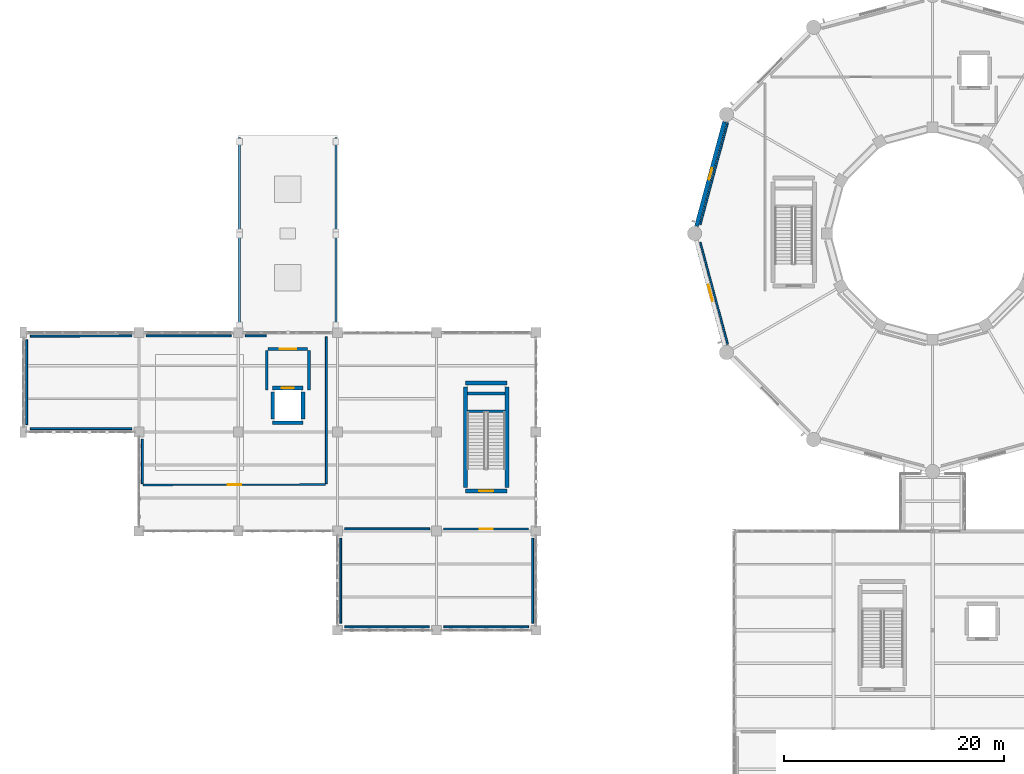
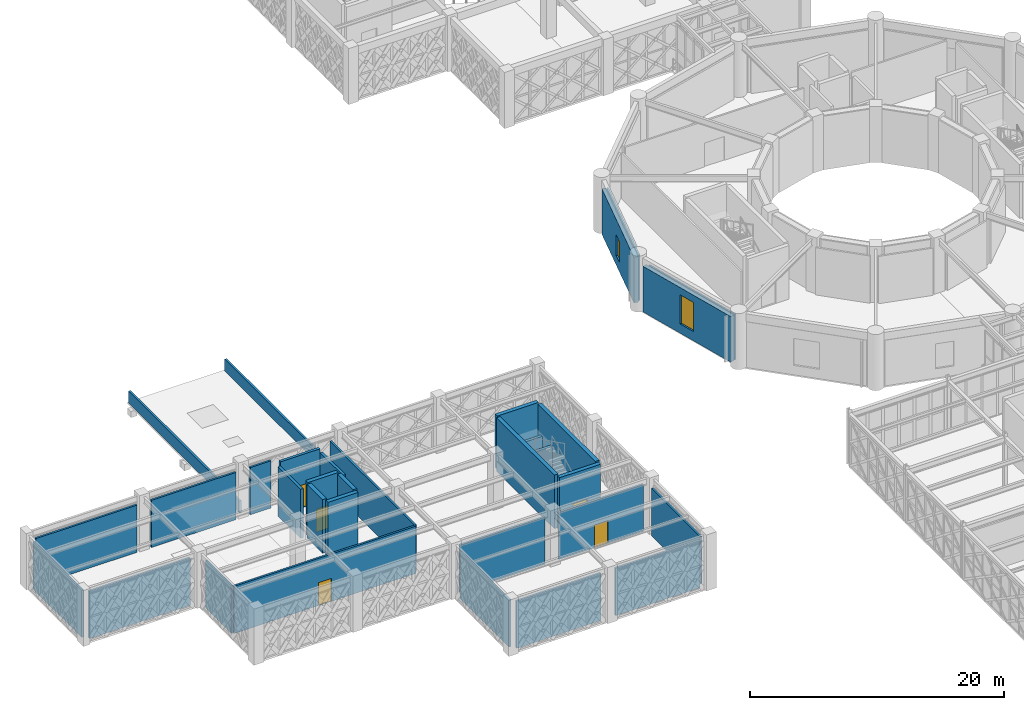
# One storey, part 132 of 155: 33 walls, 5 doors, 2 windows, 7 openings.
"""IFC4 building model written with IfcOpenShell, lengths in metres."""

from ifc_helpers import new_model, si_unit, direction, frame, frame_2d, origin, place, context, subcontext, project, spatial, rectangle, extrude, material, layer, layer_set, type_object, element, fill, save


model = new_model("IFC4")

# Units and contexts
model_context = context("Model", 3, precision=1e-05, world=origin(), true_north=direction((0.0, 1.0)))
body_context = subcontext(model_context, "Body", "Model", "MODEL_VIEW")
ifc_project = project(units=[si_unit("LENGTHUNIT", "METRE"), si_unit("AREAUNIT", "SQUARE_METRE"), si_unit("VOLUMEUNIT", "CUBIC_METRE"), si_unit("PLANEANGLEUNIT", "RADIAN"), si_unit("MASSUNIT", "GRAM", prefix="KILO")], contexts=[model_context])

# Site, building, storey
site_placement = place(None, origin())
site = spatial("IfcSite", under=ifc_project, at=site_placement, CompositionType="ELEMENT")
building_placement = place(site_placement, origin())
building = spatial("IfcBuilding", under=site, at=building_placement, Name="Haizhuo Lancet Aquarium", CompositionType="ELEMENT")
storey_placement = place(building_placement, frame((0.0, 0.0, 10.800048828125)))
storey = spatial("IfcBuildingStorey", under=building, at=storey_placement, Name="L02", CompositionType="ELEMENT", Elevation=10.800048828125)

# Wall, opening, window
ifc_material_1 = material(Name="Shandong Grey Limestone Ashlar", Category="masonry")
ifc_layer_1 = layer(ifc_material_1, 0.360107421875)
ifc_layer_set_1 = layer_set([ifc_layer_1], Name="Shandong Grey Limestone Ashlar")
wall_type_1 = type_object("IfcWallType", Name="EWL-ASH-360", PredefinedType="SOLIDWALL", material=ifc_layer_set_1)
wall_1_placement = place(storey_placement, frame((-21.419921875, 0.6708984375, 0.0), z_axis=(0.0, 0.0, 1.0), x_axis=(0.258787599316, 0.965934251614, 0.0)))
wall_1 = element("IfcWall", 1, at=wall_1_placement, inside=storey, type_object=wall_type_1, Name="L02 V1 limestone drum wall bay 6", PredefinedType="SOLIDWALL", context=body_context, shape_type="SweptSolid", body=[
    extrude(rectangle(XDim=9.79150390625, YDim=0.360107421875, at=frame_2d((4.895751953125, 0.0))), origin(), (0.0, 0.0, 1.0), 4.39501953125),
])
opening_1_placement = place(wall_1_placement, frame((4.37109375, 0.0, 0.89990234375)))
opening_1 = element("IfcOpeningElement", 2, at=opening_1_placement, cuts=wall_1, Name="Opening WN-12", PredefinedType="OPENING", context=body_context, shape_type="SweptSolid", body=[
    extrude(rectangle(XDim=1.050048828125, YDim=2.0, at=frame_2d((0.52490234375, 1.0))), frame((0.0, 0.18994140625, 0.0), z_axis=(0.0, -1.0, 0.0), x_axis=(1.0, 0.0, 0.0)), (0.0, 0.0, 1.0), 0.380107),
])
ifc_material_2 = material(Name="Laminated Low-E Glass", Category="glass")
window_type_1 = type_object("IfcWindowType", Name="WIN-LAN-1050x2000", PartitioningType="SINGLE_PANEL", PredefinedType="WINDOW", material=ifc_material_2)
window_1_placement = place(opening_1_placement, origin())
window_1 = element("IfcWindow", 3, at=window_1_placement, inside=storey, type_object=window_type_1, Name="L02 Gothic lancet window 26", OverallHeight=2.0, OverallWidth=1.050048828125, PartitioningType="SINGLE_PANEL", PredefinedType="WINDOW", context=body_context, shape_type="SweptSolid", body=[
    extrude(rectangle(XDim=1.050048828125, YDim=2.0, at=frame_2d((0.52490234375, 1.0))), frame((0.0, 0.030029296875, 0.0), z_axis=(0.0, -1.0, 0.0), x_axis=(1.0, 0.0, 0.0)), (0.0, 0.0, 1.0), 0.06005859375),
])
fill(opening_1, window_1)

wall_2_placement = place(storey_placement, frame((-18.885986328125, -10.12890625, 0.0), z_axis=(0.0, 0.0, 1.0), x_axis=(-0.258787599316, 0.965934251614, 0.0)))
wall_2 = element("IfcWall", 4, at=wall_2_placement, inside=storey, type_object=wall_type_1, Name="L02 V1 limestone drum wall bay 7", PredefinedType="SOLIDWALL", context=body_context, shape_type="SweptSolid", body=[
    extrude(rectangle(XDim=9.79150390625, YDim=0.360107421875, at=frame_2d((4.895751953125, 0.0))), origin(), (0.0, 0.0, 1.0), 4.39501953125),
])
opening_2_placement = place(wall_2_placement, frame((4.14599609375, 0.0, 0.89990234375)))
opening_2 = element("IfcOpeningElement", 5, at=opening_2_placement, cuts=wall_2, Name="Opening WN-03", PredefinedType="OPENING", context=body_context, shape_type="SweptSolid", body=[
    extrude(rectangle(XDim=1.5, YDim=2.800048828125, at=frame_2d((0.75, 1.39990234375))), frame((0.0, 0.18994140625, 0.0), z_axis=(0.0, -1.0, 0.0), x_axis=(1.0, 0.0, 0.0)), (0.0, 0.0, 1.0), 0.380107),
])
window_type_2 = type_object("IfcWindowType", Name="WIN-LAN-1500x2800", PartitioningType="SINGLE_PANEL", PredefinedType="WINDOW", material=ifc_material_2)
window_2_placement = place(opening_2_placement, origin())
window_2 = element("IfcWindow", 6, at=window_2_placement, inside=storey, type_object=window_type_2, Name="L02 Gothic lancet window 27", OverallHeight=2.800048828125, OverallWidth=1.5, PartitioningType="SINGLE_PANEL", PredefinedType="WINDOW", context=body_context, shape_type="SweptSolid", body=[
    extrude(rectangle(XDim=1.5, YDim=2.800048828125, at=frame_2d((0.75, 1.39990234375))), frame((0.0, 0.030029296875, 0.0), z_axis=(0.0, -1.0, 0.0), x_axis=(1.0, 0.0, 0.0)), (0.0, 0.0, 1.0), 0.06005859375),
])
fill(opening_2, window_2)

# Walls
ifc_layer_2 = layer(ifc_material_1, 0.18994140625)
ifc_layer_set_2 = layer_set([ifc_layer_2], Name="Shandong Grey Limestone Ashlar")
wall_type_2 = type_object("IfcWallType", Name="EWL-PAR-190", PredefinedType="PARAPET", material=ifc_layer_set_2)
for number, where, z_axis, x_axis, name in (
    (7, (-62.8798828125, -8.72998046875, 0.0), (0.0, 0.0, 1.0), (0.0, 1.0, 0.0), "Sky-bridge roof parapet SB-01 W"),
    (8, (-54.1201171875, -8.72998046875, 0.0), (0.0, 0.0, 1.0), (0.0, 1.0, 0.0), "Sky-bridge roof parapet SB-01 E"),
):
    element("IfcWall", number, at=place(storey_placement, frame(where, z_axis=z_axis, x_axis=x_axis)), inside=storey, type_object=wall_type_2, Name=name, PredefinedType="PARAPET", context=body_context, shape_type="SweptSolid", body=[
        extrude(rectangle(XDim=17.4599609375, YDim=0.18994140625, at=frame_2d((8.72998046875, 0.0))), origin(), (0.0, 0.0, 1.0), 1.14990234375),
    ])

# Wall, opening, door
ifc_material_3 = material(Name="Concrete C40/50", Category="concrete")
ifc_layer_3 = layer(ifc_material_3, 0.239990234375)
ifc_layer_set_3 = layer_set([ifc_layer_3], Name="Concrete C40/50")
wall_type_3 = type_object("IfcWallType", Name="IWL-FIRE-240", PredefinedType="PARTITIONING", material=ifc_layer_set_3)
wall_3_placement = place(storey_placement, frame((-56.699951171875, -10.47998046875, 0.0), z_axis=(0.0, 0.0, 1.0), x_axis=(-1.0, 0.0, 0.0)))
wall_3 = element("IfcWall", 9, at=wall_3_placement, inside=storey, type_object=wall_type_3, Name="L02 LF-03 firefighting lift lobby firewall N", PredefinedType="PARTITIONING", context=body_context, shape_type="SweptSolid", body=[
    extrude(rectangle(XDim=3.60009765625, YDim=0.239990234375, at=frame_2d((1.800048828125, 0.0))), origin(), (0.0, 0.0, 1.0), 5.10986328125),
])
opening_3_placement = place(wall_3_placement, frame((1.050048828125, 0.0, 0.0)))
opening_3 = element("IfcOpeningElement", 10, at=opening_3_placement, cuts=wall_3, Name="Opening FD-03", PredefinedType="OPENING", context=body_context, shape_type="SweptSolid", body=[
    extrude(rectangle(XDim=1.5, YDim=2.199951171875, at=frame_2d((0.75, 1.10009765625))), frame((0.0, 0.1298828125, 0.0), z_axis=(0.0, -1.0, 0.0), x_axis=(1.0, 0.0, 0.0)), (0.0, 0.0, 1.0), 0.25999),
])
ifc_material_4 = material(Name="Steel S355", Category="steel")
door_type_1 = type_object("IfcDoorType", Name="IDR-FFL-1500x2200", OperationType="NOTDEFINED", PredefinedType="DOOR", material=ifc_material_4)
door_1_placement = place(opening_3_placement, origin())
door_1 = element("IfcDoor", 11, at=door_1_placement, inside=storey, type_object=door_type_1, Name="L02 LF-03 firefighting lift lobby door", OperationType="SINGLE_SWING_RIGHT", OverallHeight=2.199951171875, OverallWidth=1.5, PredefinedType="DOOR", context=body_context, shape_type="SweptSolid", body=[
    extrude(rectangle(XDim=1.5, YDim=2.199951171875, at=frame_2d((0.75, 1.10009765625))), frame((0.0, 0.02490234375, 0.0), z_axis=(0.0, -1.0, 0.0), x_axis=(1.0, 0.0, 0.0)), (0.0, 0.0, 1.0), 0.050048828125),
])
fill(opening_3, door_1)

# Walls
for number, where, z_axis, x_axis, name in (
    (12, (-60.419921875, -14.199951171875, 0.0), (0.0, 0.0, 1.0), (0.0, 1.0, 0.0), "L02 LF-03 firefighting lift lobby firewall W"),
    (13, (-56.580078125, -14.199951171875, 0.0), (0.0, 0.0, 1.0), (0.0, 1.0, 0.0), "L02 LF-03 firefighting lift lobby firewall E"),
):
    element("IfcWall", number, at=place(storey_placement, frame(where, z_axis=z_axis, x_axis=x_axis)), inside=storey, type_object=wall_type_3, Name=name, PredefinedType="PARTITIONING", context=body_context, shape_type="SweptSolid", body=[
        extrude(rectangle(XDim=3.599853515625, YDim=0.239990234375, at=frame_2d((1.7998046875, 0.0))), origin(), (0.0, 0.0, 1.0), 4.744873046875),
    ])
ifc_layer_4 = layer(ifc_material_3, 0.179931640625)
ifc_layer_set_4 = layer_set([ifc_layer_4], Name="Concrete C40/50")
wall_type_4 = type_object("IfcWallType", Name="IWL-LAB-180", PredefinedType="PARTITIONING", material=ifc_layer_set_4)
wall_4_placement = place(storey_placement, frame((-81.85009765625, -17.699951171875, 0.0), z_axis=(0.0, 0.0, 1.0), x_axis=(1.0, 0.0, 0.0)))
element("IfcWall", 14, at=wall_4_placement, inside=storey, type_object=wall_type_4, Name="L02 partition wall 412", PredefinedType="PARTITIONING", context=body_context, shape_type="SweptSolid", body=[
    extrude(rectangle(XDim=9.2001953125, YDim=0.179931640625, at=frame_2d((4.60009765625, 0.0))), origin(), (0.0, 0.0, 1.0), 4.544921875),
])
wall_5_placement = place(storey_placement, frame((-71.699951171875, -18.64990234375, 0.0), z_axis=(0.0, 0.0, 1.0), x_axis=(0.0, -1.0, 0.0)))
element("IfcWall", 15, at=wall_5_placement, inside=storey, type_object=wall_type_4, Name="L02 partition wall 413", PredefinedType="PARTITIONING", context=body_context, shape_type="SweptSolid", body=[
    extrude(rectangle(XDim=4.050048828125, YDim=0.179931640625, at=frame_2d((2.02490234375, 0.0))), origin(), (0.0, 0.0, 1.0), 4.544921875),
])

# Wall, opening, door
wall_6_placement = place(storey_placement, frame((-71.6201171875, -22.798095703125, 0.0), z_axis=(0.0, 0.0, 1.0), x_axis=(0.999999991186, 0.000132772736, 0.0)))
wall_6 = element("IfcWall", 16, at=wall_6_placement, inside=storey, type_object=wall_type_4, Name="L02 partition wall 414", PredefinedType="PARTITIONING", context=body_context, shape_type="SweptSolid", body=[
    extrude(rectangle(XDim=16.549072265625, YDim=0.179931640625, at=frame_2d((8.2744140625, 0.0))), origin(), (0.0, 0.0, 1.0), 4.544921875),
])
opening_4_placement = place(wall_6_placement, frame((7.675048828125, 0.0, 0.0)))
opening_4 = element("IfcOpeningElement", 17, at=opening_4_placement, cuts=wall_6, Name="Opening D-04", PredefinedType="OPENING", context=body_context, shape_type="SweptSolid", body=[
    extrude(rectangle(XDim=1.199951171875, YDim=2.199951171875, at=frame_2d((0.60009765625, 1.10009765625))), frame((0.0, 0.099853515625, 0.0), z_axis=(0.0, -1.0, 0.0), x_axis=(1.0, 0.0, 0.0)), (0.0, 0.0, 1.0), 0.199932),
])
door_type_2 = type_object("IfcDoorType", Name="IDR-LAB-1200x2200", OperationType="NOTDEFINED", PredefinedType="DOOR", material=ifc_material_4)
door_2_placement = place(opening_4_placement, origin())
door_2 = element("IfcDoor", 18, at=door_2_placement, inside=storey, type_object=door_type_2, Name="L02 Marine Genomics Research Laboratory door", OperationType="SINGLE_SWING_RIGHT", OverallHeight=2.199951171875, OverallWidth=1.199951171875, PredefinedType="DOOR", context=body_context, shape_type="SweptSolid", body=[
    extrude(rectangle(XDim=1.199951171875, YDim=2.199951171875, at=frame_2d((0.60009765625, 1.10009765625))), frame((0.0, 0.02490234375, 0.0), z_axis=(0.0, -1.0, 0.0), x_axis=(1.0, 0.0, 0.0)), (0.0, 0.0, 1.0), 0.050048828125),
])
fill(opening_4, door_2)

# Walls
wall_7_placement = place(storey_placement, frame((-55.0, -22.699951171875, 0.0), z_axis=(0.0, 0.0, 1.0), x_axis=(-0.000293067118, 0.999999957056, 0.0)))
element("IfcWall", 19, at=wall_7_placement, inside=storey, type_object=wall_type_4, Name="L02 partition wall 415", PredefinedType="PARTITIONING", context=body_context, shape_type="SweptSolid", body=[
    extrude(rectangle(XDim=13.328857421875, YDim=0.179931640625, at=frame_2d((6.66455078125, 0.0))), origin(), (0.0, 0.0, 1.0), 4.544921875),
])
wall_8_placement = place(storey_placement, frame((-60.449951171875, -9.300048828125, 0.0), z_axis=(0.0, 0.0, 1.0), x_axis=(-1.0, 0.0, 0.0)))
element("IfcWall", 20, at=wall_8_placement, inside=storey, type_object=wall_type_4, Name="L02 partition wall 416", PredefinedType="PARTITIONING", context=body_context, shape_type="SweptSolid", body=[
    extrude(rectangle(XDim=1.900146484375, YDim=0.179931640625, at=frame_2d((0.9501953125, 0.0))), origin(), (0.0, 0.0, 1.0), 4.544921875),
])
wall_9_placement = place(storey_placement, frame((-63.64990234375, -9.300048828125, 0.0), z_axis=(0.0, 0.0, 1.0), x_axis=(-1.0, 0.0, 0.0)))
element("IfcWall", 21, at=wall_9_placement, inside=storey, type_object=wall_type_4, Name="L02 partition wall 417", PredefinedType="PARTITIONING", context=body_context, shape_type="SweptSolid", body=[
    extrude(rectangle(XDim=7.7001953125, YDim=0.179931640625, at=frame_2d((3.85009765625, 0.0))), origin(), (0.0, 0.0, 1.0), 4.544921875),
])
wall_10_placement = place(storey_placement, frame((-72.64990234375, -9.300048828125, 0.0), z_axis=(0.0, 0.0, 1.0), x_axis=(-0.99999991006, -0.000424121897, 0.0)))
element("IfcWall", 22, at=wall_10_placement, inside=storey, type_object=wall_type_4, Name="L02 partition wall 418", PredefinedType="PARTITIONING", context=body_context, shape_type="SweptSolid", body=[
    extrude(rectangle(XDim=9.210205078125, YDim=0.179931640625, at=frame_2d((4.60498046875, 0.0))), origin(), (0.0, 0.0, 1.0), 4.544921875),
])
for number, where, z_axis, x_axis, name in (
    (23, (-82.199951171875, -9.64990234375, 0.0), (0.0, 0.0, 1.0), (0.0, -1.0, 0.0), "L02 partition wall 419"),
    (24, (-53.35009765625, -35.699951171875, 0.0), (0.0, 0.0, 1.0), (1.0, 0.0, 0.0), "L02 partition wall 420"),
    (25, (-44.35009765625, -35.699951171875, 0.0), (0.0, 0.0, 1.0), (1.0, 0.0, 0.0), "L02 partition wall 421"),
    (26, (-36.300048828125, -35.35009765625, 0.0), (0.0, 0.0, 1.0), (0.0, 1.0, 0.0), "L02 partition wall 422"),
):
    element("IfcWall", number, at=place(storey_placement, frame(where, z_axis=z_axis, x_axis=x_axis)), inside=storey, type_object=wall_type_4, Name=name, PredefinedType="PARTITIONING", context=body_context, shape_type="SweptSolid", body=[
        extrude(rectangle(XDim=7.7001953125, YDim=0.179931640625, at=frame_2d((3.85009765625, 0.0))), origin(), (0.0, 0.0, 1.0), 4.544921875),
    ])

# Wall, opening, door
wall_11_placement = place(storey_placement, frame((-36.64990234375, -26.800048828125, 0.0), z_axis=(0.0, 0.0, 1.0), x_axis=(-1.0, 0.0, 0.0)))
wall_11 = element("IfcWall", 27, at=wall_11_placement, inside=storey, type_object=wall_type_4, Name="L02 partition wall 423", PredefinedType="PARTITIONING", context=body_context, shape_type="SweptSolid", body=[
    extrude(rectangle(XDim=7.710205078125, YDim=0.179931640625, at=frame_2d((3.85498046875, 0.0))), origin(), (0.0, 0.0, 1.0), 4.544921875),
])
opening_5_placement = place(wall_11_placement, frame((3.2548828125, 0.0, 0.0)))
opening_5 = element("IfcOpeningElement", 28, at=opening_5_placement, cuts=wall_11, Name="Opening D-04", PredefinedType="OPENING", context=body_context, shape_type="SweptSolid", body=[
    extrude(rectangle(XDim=1.199951171875, YDim=2.199951171875, at=frame_2d((0.60009765625, 1.10009765625))), frame((0.0, 0.099853515625, 0.0), z_axis=(0.0, -1.0, 0.0), x_axis=(1.0, 0.0, 0.0)), (0.0, 0.0, 1.0), 0.199932),
])
door_3_placement = place(opening_5_placement, origin())
door_3 = element("IfcDoor", 29, at=door_3_placement, inside=storey, type_object=door_type_2, Name="L02 Specimen Archive door", OperationType="SINGLE_SWING_LEFT", OverallHeight=2.199951171875, OverallWidth=1.199951171875, PredefinedType="DOOR", context=body_context, shape_type="SweptSolid", body=[
    extrude(rectangle(XDim=1.199951171875, YDim=2.199951171875, at=frame_2d((0.60009765625, 1.10009765625))), frame((0.0, 0.02490234375, 0.0), z_axis=(0.0, -1.0, 0.0), x_axis=(1.0, 0.0, 0.0)), (0.0, 0.0, 1.0), 0.050048828125),
])
fill(opening_5, door_3)

# Walls
wall_12_placement = place(storey_placement, frame((-45.639892578125, -26.800048828125, 0.0), z_axis=(0.0, 0.0, 1.0), x_axis=(-1.0, 0.0, 0.0)))
element("IfcWall", 30, at=wall_12_placement, inside=storey, type_object=wall_type_4, Name="L02 partition wall 424", PredefinedType="PARTITIONING", context=body_context, shape_type="SweptSolid", body=[
    extrude(rectangle(XDim=7.710205078125, YDim=0.179931640625, at=frame_2d((3.85498046875, 0.0))), origin(), (0.0, 0.0, 1.0), 4.544921875),
])
wall_13_placement = place(storey_placement, frame((-53.699951171875, -27.64990234375, 0.0), z_axis=(0.0, 0.0, 1.0), x_axis=(0.0, -1.0, 0.0)))
element("IfcWall", 31, at=wall_13_placement, inside=storey, type_object=wall_type_4, Name="L02 partition wall 425", PredefinedType="PARTITIONING", context=body_context, shape_type="SweptSolid", body=[
    extrude(rectangle(XDim=7.7001953125, YDim=0.179931640625, at=frame_2d((3.85009765625, 0.0))), origin(), (0.0, 0.0, 1.0), 4.544921875),
])
ifc_material_5 = material(Name="Gypsum Fireboard Partition")
ifc_layer_5 = layer(ifc_material_5, 0.14990234375)
ifc_layer_set_5 = layer_set([ifc_layer_5], Name="Gypsum Fireboard Partition")
wall_type_5 = type_object("IfcWallType", Name="IWL-STD-150", PredefinedType="PARTITIONING", material=ifc_layer_set_5)
wall_14_placement = place(storey_placement, frame((-21.072998046875, -0.805908203125, 0.0), z_axis=(0.0, 0.0, 1.0), x_axis=(0.259280198702, -0.965802142554, 0.0)))
element("IfcWall", 32, at=wall_14_placement, inside=storey, type_object=wall_type_5, Name="L02 partition wall 348", PredefinedType="PARTITIONING", context=body_context, shape_type="SweptSolid", body=[
    extrude(rectangle(XDim=9.56103515625, YDim=0.14990234375, at=frame_2d((4.780517578125, 0.0))), origin(), (0.0, 0.0, 1.0), 4.39501953125),
])
wall_15_placement = place(storey_placement, frame((-18.597900390625, 10.0400390625, 0.0), z_axis=(0.0, 0.0, 1.0), x_axis=(-0.258923095589, -0.965897940038, 0.0)))
element("IfcWall", 33, at=wall_15_placement, inside=storey, type_object=wall_type_5, Name="L02 partition wall 363", PredefinedType="PARTITIONING", context=body_context, shape_type="SweptSolid", body=[
    extrude(rectangle(XDim=9.570556640625, YDim=0.14990234375, at=frame_2d((4.78515625, 0.0))), origin(), (0.0, 0.0, 1.0), 4.39501953125),
])
ifc_layer_6 = layer(ifc_material_3, 0.35009765625)
ifc_layer_set_6 = layer_set([ifc_layer_6], Name="Concrete C40/50")
wall_type_6 = type_object("IfcWallType", Name="WL-CORE-350", PredefinedType="SHEAR", material=ifc_layer_set_6)
for number, where, z_axis, x_axis, name in (
    (34, (-42.199951171875, -16.125, 0.0), (0.0, 0.0, 1.0), (1.0, 0.0, 0.0), "L02 ST-09 landing support wall"),
    (35, (-42.199951171875, -14.52490234375, 0.0), (0.0, 0.0, 1.0), (1.0, 0.0, 0.0), "L02 ST-09 far landing support wall"),
):
    element("IfcWall", number, at=place(storey_placement, frame(where, z_axis=z_axis, x_axis=x_axis)), inside=storey, type_object=wall_type_6, Name=name, PredefinedType="SHEAR", context=body_context, shape_type="SweptSolid", body=[
        extrude(rectangle(XDim=3.39990234375, YDim=0.25, at=frame_2d((1.699951171875, 0.0))), origin(), (0.0, 0.0, 1.0), 2.5),
    ])

# Wall, opening, door
wall_16_placement = place(storey_placement, frame((-42.375, -23.375, 0.0), z_axis=(0.0, 0.0, 1.0), x_axis=(1.0, 0.0, 0.0)))
wall_16 = element("IfcWall", 36, at=wall_16_placement, inside=storey, type_object=wall_type_6, Name="L02 ST-09 core shear wall S", PredefinedType="SHEAR", context=body_context, shape_type="SweptSolid", body=[
    extrude(rectangle(XDim=3.75, YDim=0.35009765625, at=frame_2d((1.875, 0.0))), origin(), (0.0, 0.0, 1.0), 5.159912109375),
])
opening_6_placement = place(wall_16_placement, frame((1.22509765625, 0.0, 0.0)))
opening_6 = element("IfcOpeningElement", 37, at=opening_6_placement, cuts=wall_16, Name="Opening FD-02", PredefinedType="OPENING", context=body_context, shape_type="SweptSolid", body=[
    extrude(rectangle(XDim=1.300048828125, YDim=2.199951171875, at=frame_2d((0.64990234375, 1.10009765625))), frame((0.0, 0.18505859375, 0.0), z_axis=(0.0, -1.0, 0.0), x_axis=(1.0, 0.0, 0.0)), (0.0, 0.0, 1.0), 0.370098),
])
door_type_3 = type_object("IfcDoorType", Name="IDR-STAIR-1300x2200", OperationType="NOTDEFINED", PredefinedType="DOOR", material=ifc_material_4)
door_4_placement = place(opening_6_placement, origin())
door_4 = element("IfcDoor", 38, at=door_4_placement, inside=storey, type_object=door_type_3, Name="L02 ST-09 stairwell fire door", OperationType="SINGLE_SWING_RIGHT", OverallHeight=2.199951171875, OverallWidth=1.300048828125, PredefinedType="DOOR", context=body_context, shape_type="SweptSolid", body=[
    extrude(rectangle(XDim=1.300048828125, YDim=2.199951171875, at=frame_2d((0.64990234375, 1.10009765625))), frame((0.0, 0.02490234375, 0.0), z_axis=(0.0, -1.0, 0.0), x_axis=(1.0, 0.0, 0.0)), (0.0, 0.0, 1.0), 0.050048828125),
])
fill(opening_6, door_4)

# Walls
wall_17_placement = place(storey_placement, frame((-42.375, -13.574951171875, 0.0), z_axis=(0.0, 0.0, 1.0), x_axis=(1.0, 0.0, 0.0)))
element("IfcWall", 39, at=wall_17_placement, inside=storey, type_object=wall_type_6, Name="L02 ST-09 core shear wall N", PredefinedType="SHEAR", context=body_context, shape_type="SweptSolid", body=[
    extrude(rectangle(XDim=3.75, YDim=0.35009765625, at=frame_2d((1.875, 0.0))), origin(), (0.0, 0.0, 1.0), 5.159912109375),
])
for number, where, z_axis, x_axis, name in (
    (40, (-42.375, -23.02490234375, 0.0), (0.0, 0.0, 1.0), (0.0, 1.0, 0.0), "L02 ST-09 core shear wall W"),
    (41, (-38.625, -23.02490234375, 0.0), (0.0, 0.0, 1.0), (0.0, 1.0, 0.0), "L02 ST-09 core shear wall E"),
):
    element("IfcWall", number, at=place(storey_placement, frame(where, z_axis=z_axis, x_axis=x_axis)), inside=storey, type_object=wall_type_6, Name=name, PredefinedType="SHEAR", context=body_context, shape_type="SweptSolid", body=[
        extrude(rectangle(XDim=9.099853515625, YDim=0.35009765625, at=frame_2d((4.5498046875, 0.0))), origin(), (0.0, 0.0, 1.0), 5.159912109375),
    ])
wall_18_placement = place(storey_placement, frame((-59.875, -17.175048828125, 0.0), z_axis=(0.0, 0.0, 1.0), x_axis=(1.0, 0.0, 0.0)))
element("IfcWall", 42, at=wall_18_placement, inside=storey, type_object=wall_type_6, Name="L02 LF-03 lift shaft wall -Y", PredefinedType="SHEAR", context=body_context, shape_type="SweptSolid", body=[
    extrude(rectangle(XDim=2.75, YDim=0.35009765625, at=frame_2d((1.375, 0.0))), origin(), (0.0, 0.0, 1.0), 5.159912109375),
])

# Wall, opening, door
wall_19_placement = place(storey_placement, frame((-57.125, -14.02490234375, 0.0), z_axis=(0.0, 0.0, 1.0), x_axis=(-1.0, 0.0, 0.0)))
wall_19 = element("IfcWall", 43, at=wall_19_placement, inside=storey, type_object=wall_type_6, Name="L02 LF-03 lift shaft wall +Y", PredefinedType="SHEAR", context=body_context, shape_type="SweptSolid", body=[
    extrude(rectangle(XDim=2.75, YDim=0.35009765625, at=frame_2d((1.375, 0.0))), origin(), (0.0, 0.0, 1.0), 5.159912109375),
])
opening_7_placement = place(wall_19_placement, frame((0.824951171875, 0.0, 0.0)))
opening_7 = element("IfcOpeningElement", 44, at=opening_7_placement, cuts=wall_19, Name="Opening LD-01", PredefinedType="OPENING", context=body_context, shape_type="SweptSolid", body=[
    extrude(rectangle(XDim=1.10009765625, YDim=2.199951171875, at=frame_2d((0.550048828125, 1.10009765625))), frame((0.0, 0.18505859375, 0.0), z_axis=(0.0, -1.0, 0.0), x_axis=(1.0, 0.0, 0.0)), (0.0, 0.0, 1.0), 0.370098),
])
door_type_4 = type_object("IfcDoorType", Name="IDR-LIFT-1100x2200", OperationType="NOTDEFINED", PredefinedType="DOOR", material=ifc_material_4)
door_5_placement = place(opening_7_placement, origin())
door_5 = element("IfcDoor", 45, at=door_5_placement, inside=storey, type_object=door_type_4, Name="L02 LF-03 sliding lift landing door", OperationType="DOUBLE_DOOR_SLIDING", OverallHeight=2.199951171875, OverallWidth=1.10009765625, PredefinedType="DOOR", context=body_context, shape_type="SweptSolid", body=[
    extrude(rectangle(XDim=1.10009765625, YDim=2.199951171875, at=frame_2d((0.550048828125, 1.10009765625))), frame((0.0, 0.02490234375, 0.0), z_axis=(0.0, -1.0, 0.0), x_axis=(1.0, 0.0, 0.0)), (0.0, 0.0, 1.0), 0.050048828125),
])
fill(opening_7, door_5)

# Walls
for number, where, z_axis, x_axis, name in (
    (46, (-59.875, -16.824951171875, 0.0), (0.0, 0.0, 1.0), (0.0, 1.0, 0.0), "L02 LF-03 lift shaft wall -X"),
    (47, (-57.125, -16.824951171875, 0.0), (0.0, 0.0, 1.0), (0.0, 1.0, 0.0), "L02 LF-03 lift shaft wall +X"),
):
    element("IfcWall", number, at=place(storey_placement, frame(where, z_axis=z_axis, x_axis=x_axis)), inside=storey, type_object=wall_type_6, Name=name, PredefinedType="SHEAR", context=body_context, shape_type="SweptSolid", body=[
        extrude(rectangle(XDim=2.449951171875, YDim=0.35009765625, at=frame_2d((1.22509765625, 0.0))), origin(), (0.0, 0.0, 1.0), 5.159912109375),
    ])

save(model, "model.ifc")
